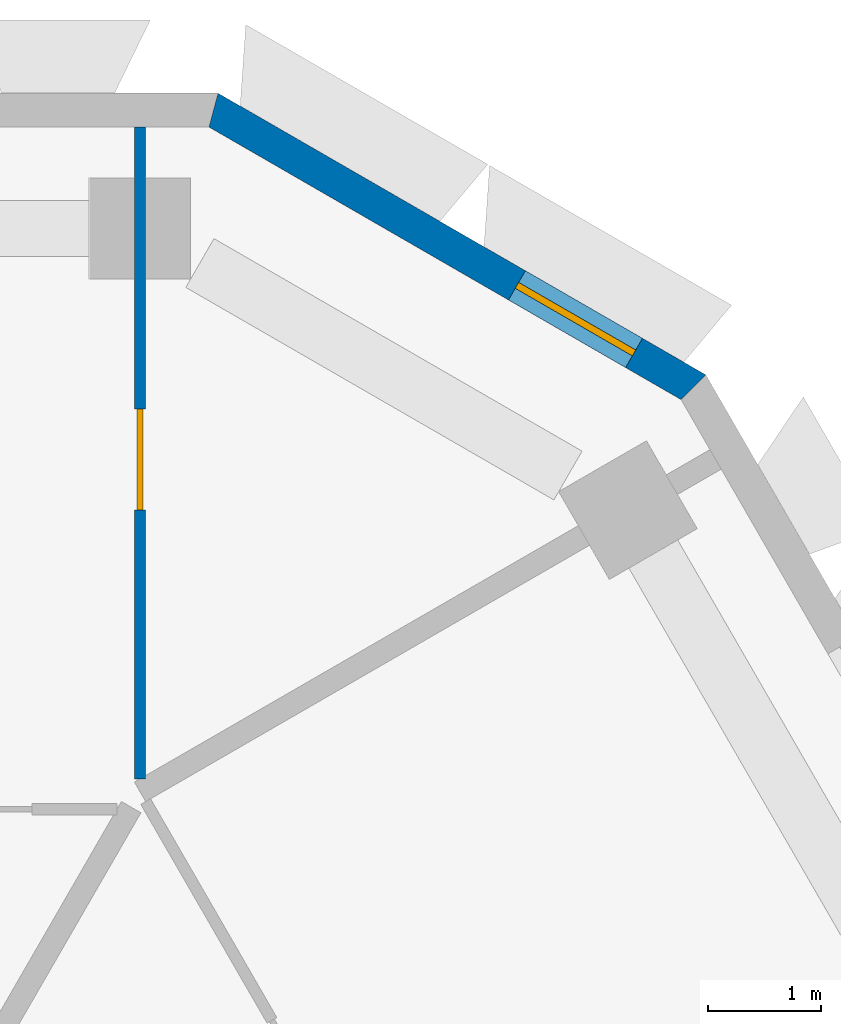
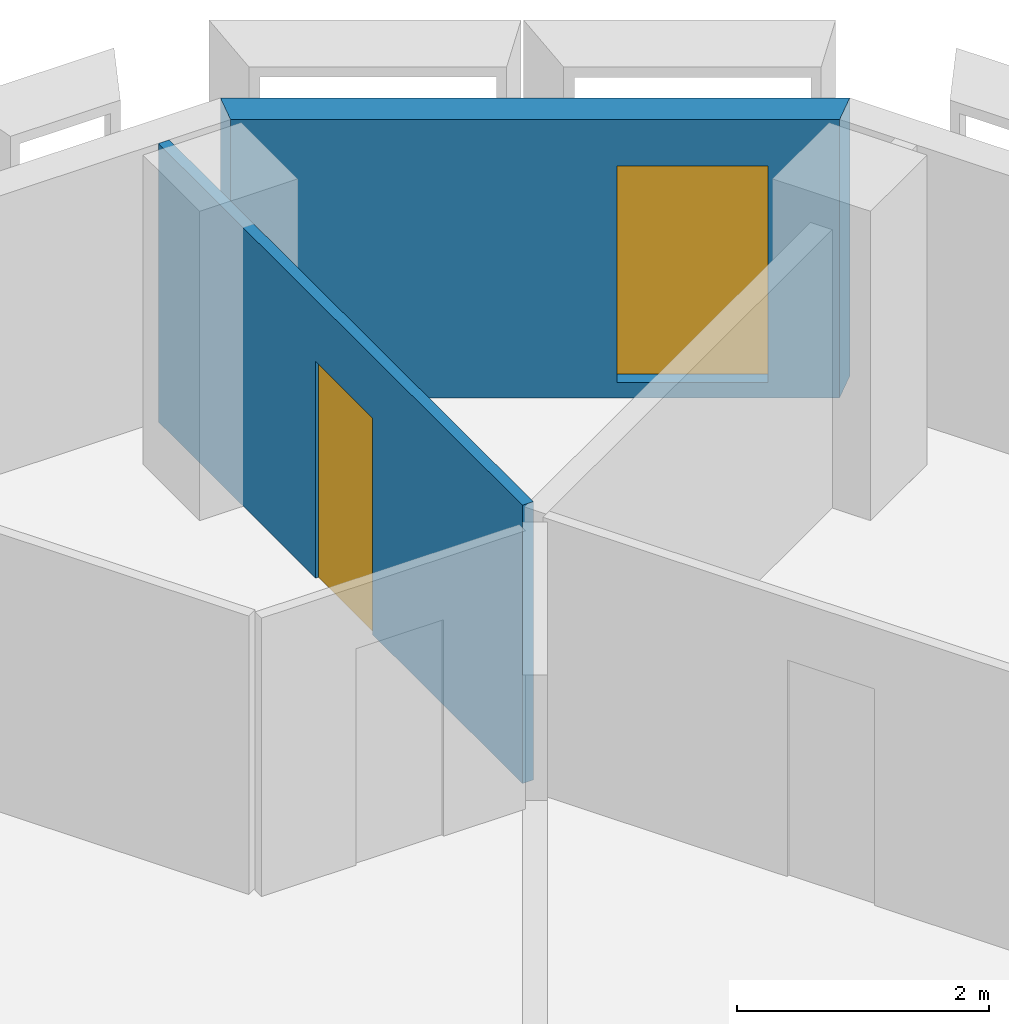
# One storey, part 9 of 15: 2 walls, 1 door, 1 window, 2 openings.
"""IFC4 building model written with IfcOpenShell, lengths in metres."""

from ifc_helpers import new_model, si_unit, direction, frame, frame_2d, origin, place, context, subcontext, project, spatial, polyline, rectangle, outline, extrude, material, layer, layer_set, type_object, element, fill, save


model = new_model("IFC4")

# Units and contexts
model_context = context("Model", 3, precision=1e-05, world=origin(), true_north=direction((0.0, 1.0)))
body_context = subcontext(model_context, "Body", "Model", "MODEL_VIEW")
ifc_project = project(units=[si_unit("LENGTHUNIT", "METRE"), si_unit("AREAUNIT", "SQUARE_METRE"), si_unit("VOLUMEUNIT", "CUBIC_METRE"), si_unit("PLANEANGLEUNIT", "RADIAN"), si_unit("MASSUNIT", "GRAM", prefix="KILO")], contexts=[model_context])

# Site, building, storey
site_placement = place(None, origin())
site = spatial("IfcSite", under=ifc_project, at=site_placement, CompositionType="ELEMENT")
building_placement = place(site_placement, origin())
building = spatial("IfcBuilding", under=site, at=building_placement, Name="Beryl Residences", CompositionType="ELEMENT")
storey_placement = place(building_placement, frame((0.0, 0.0, 147.60009765625)))
storey = spatial("IfcBuildingStorey", under=building, at=storey_placement, Name="L45", CompositionType="ELEMENT", Elevation=147.60009765625)

# Wall, opening, window
ifc_material_1 = material(Name="Composite metal panel with mineral wool insulation")
ifc_layer_1 = layer(ifc_material_1, 0.300048828125)
ifc_layer_set_1 = layer_set([ifc_layer_1], Name="ES1 pale metal composite panel wall 300 mm")
wall_type_1 = type_object("IfcWallType", Name="ES1 pale metal composite panel wall 300 mm", PredefinedType="SOLIDWALL", material=ifc_layer_set_1)
wall_1_placement = place(storey_placement, frame((16.610107421875, 22.969970703125, 0.0), z_axis=(0.0, 0.0, 1.0), x_axis=(-0.866022959057, 0.500004234368, 0.0)))
wall_1 = element("IfcWall", 1, at=wall_1_placement, inside=storey, type_object=wall_type_1, Name="ES1 external wall L45 NE-N", PredefinedType="SOLIDWALL", context=body_context, shape_type="SweptSolid", body=[
    extrude(outline(polyline([(0.0, -0.14990234375), (5.0, -0.14990234375), (4.919677734375, 0.14990234375), (0.080322265625, 0.14990234375), (0.0, -0.14990234375)])), origin(), (0.0, 0.0, 1.0), 2.699951171875),
])
opening_1_placement = place(wall_1_placement, frame((0.64990234375, 0.0, 0.14990234375)))
opening_1 = element("IfcOpeningElement", 2, at=opening_1_placement, cuts=wall_1, Name="Opening W2", PredefinedType="OPENING", context=body_context, shape_type="SweptSolid", body=[
    extrude(rectangle(XDim=1.199951171875, YDim=2.10009765625, at=frame_2d((0.60009765625, 1.050048828125))), frame((0.0, 0.159912109375, 0.0), z_axis=(0.0, -1.0, 0.0), x_axis=(1.0, 0.0, 0.0)), (0.0, 0.0, 1.0), 0.320068359375),
])
ifc_material_2 = material(Name="Aluminium and clear glass", Category="aluminium")
window_type = type_object("IfcWindowType", Name="W2 chamfer window 1200 x 2100 mm", PartitioningType="SINGLE_PANEL", PredefinedType="WINDOW", material=ifc_material_2)
window_placement = place(opening_1_placement, origin())
window = element("IfcWindow", 3, at=window_placement, inside=storey, type_object=window_type, Name="W2 window L45 NE-N 1", OverallHeight=2.10009765625, OverallWidth=1.199951171875, PartitioningType="SINGLE_PANEL", PredefinedType="WINDOW", context=body_context, shape_type="SweptSolid", body=[
    extrude(rectangle(XDim=1.199951171875, YDim=2.10009765625, at=frame_2d((0.60009765625, 1.050048828125))), frame((0.0, 0.030029296875, 0.0), z_axis=(0.0, -1.0, 0.0), x_axis=(1.0, 0.0, 0.0)), (0.0, 0.0, 1.0), 0.06005859375),
])
fill(opening_1, window)

# Wall, opening, door
ifc_material_3 = material(Name="Gypsum board partition on steel studs", Category="steel")
ifc_layer_2 = layer(ifc_material_3, 0.10009765625)
ifc_layer_set_2 = layer_set([ifc_layer_2], Name="PT1 partition 100 mm gypsum board on steel studs")
wall_type_2 = type_object("IfcWallType", Name="PT1 partition 100 mm gypsum board on steel studs", PredefinedType="PARTITIONING", material=ifc_layer_set_2)
wall_2_placement = place(storey_placement, frame((11.662109375, 19.513916015625, 0.0), z_axis=(0.0, 0.0, 1.0), x_axis=(0.0, 1.0, 0.0)))
wall_2 = element("IfcWall", 4, at=wall_2_placement, inside=storey, type_object=wall_type_2, Name="Wall PT1 L45 040", PredefinedType="PARTITIONING", context=body_context, shape_type="SweptSolid", body=[
    extrude(rectangle(XDim=5.7861328125, YDim=0.10009765625, at=frame_2d((2.89306640625, 0.0))), origin(), (0.0, 0.0, 1.0), 2.699951171875),
])
opening_2_placement = place(wall_2_placement, frame((2.385009765625, 0.0, 0.0)))
opening_2 = element("IfcOpeningElement", 5, at=opening_2_placement, cuts=wall_2, Name="Opening D1334", PredefinedType="OPENING", context=body_context, shape_type="SweptSolid", body=[
    extrude(rectangle(XDim=0.89990234375, YDim=2.10009765625, at=frame_2d((0.449951171875, 1.050048828125))), frame((0.0, 0.06005859375, 0.0), z_axis=(0.0, -1.0, 0.0), x_axis=(1.0, 0.0, 0.0)), (0.0, 0.0, 1.0), 0.1201171875),
])
ifc_material_4 = material(Name="Timber door leaf", Category="wood")
door_type = type_object("IfcDoorType", Name="D2 room door 900 x 2100 mm", OperationType="SINGLE_SWING_LEFT", PredefinedType="DOOR", material=ifc_material_4)
door_placement = place(opening_2_placement, origin())
door = element("IfcDoor", 6, at=door_placement, inside=storey, type_object=door_type, Name="Door D1334 L45 001", OperationType="SINGLE_SWING_RIGHT", OverallHeight=2.10009765625, OverallWidth=0.89990234375, PredefinedType="DOOR", context=body_context, shape_type="SweptSolid", body=[
    extrude(rectangle(XDim=0.89990234375, YDim=2.10009765625, at=frame_2d((0.449951171875, 1.050048828125))), frame((0.0, 0.02490234375, 0.0), z_axis=(0.0, -1.0, 0.0), x_axis=(1.0, 0.0, 0.0)), (0.0, 0.0, 1.0), 0.050048828125),
])
fill(opening_2, door)

save(model, "model.ifc")
